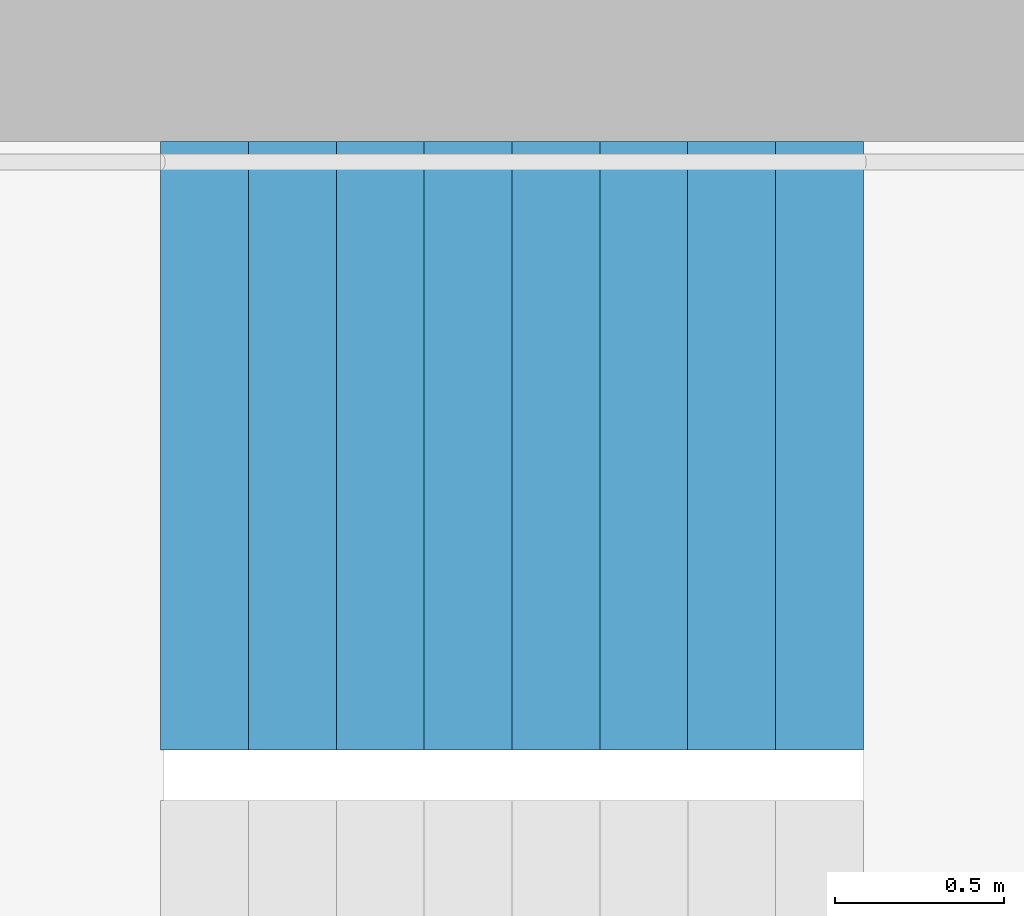
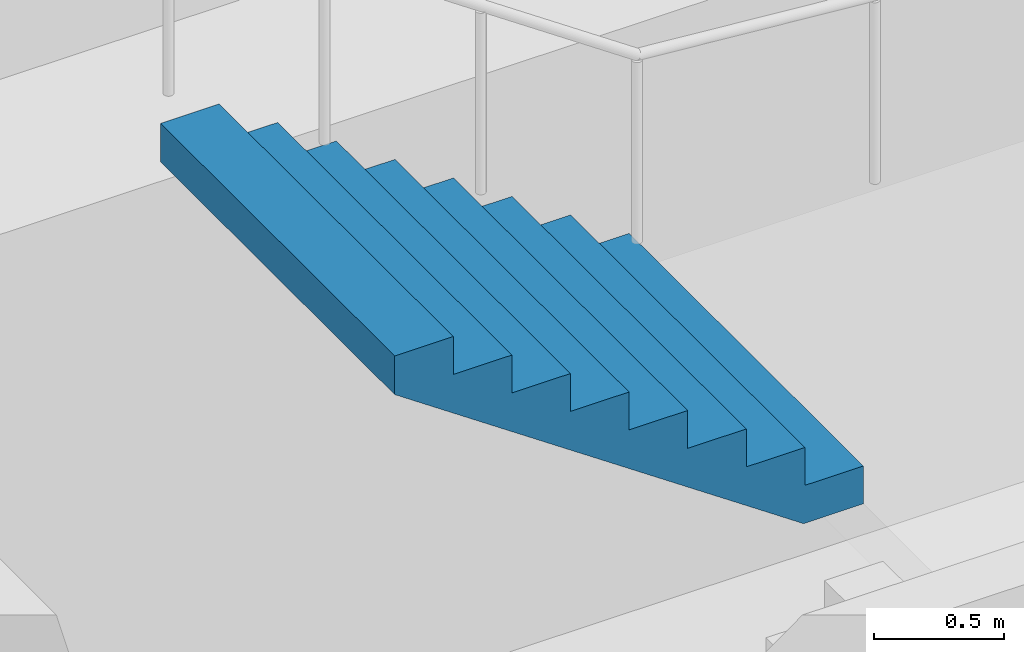
# One storey, part 22 of 27: 1 stair flight, 1 element without a shape of its own.
"""IFC4 building model written with IfcOpenShell, lengths in metres."""

from ifc_helpers import new_model, si_unit, direction, frame, origin, place, context, subcontext, project, spatial, triangles, material, type_object, element, aggregate, save


model = new_model("IFC4")

# Units and contexts
model_context = context("Model", 3, precision=1e-05, world=origin(), true_north=direction((0.0, 1.0)))
body_context = subcontext(model_context, "Body", "Model", "MODEL_VIEW")
ifc_project = project(units=[si_unit("LENGTHUNIT", "METRE"), si_unit("AREAUNIT", "SQUARE_METRE"), si_unit("VOLUMEUNIT", "CUBIC_METRE"), si_unit("PLANEANGLEUNIT", "RADIAN"), si_unit("MASSUNIT", "GRAM", prefix="KILO")], contexts=[model_context])

# Site, building, storey
site_placement = place(None, origin())
site = spatial("IfcSite", under=ifc_project, at=site_placement, CompositionType="ELEMENT")
building_placement = place(site_placement, origin())
building = spatial("IfcBuilding", under=site, at=building_placement, Name="Hakoniwa Tower and Hamabe Station Hall", CompositionType="ELEMENT")
storey_placement = place(building_placement, frame((0.0, 0.0, 248.60009765625)))
storey = spatial("IfcBuildingStorey", under=building, at=storey_placement, Name="L70", CompositionType="ELEMENT", Elevation=248.60009765625)

# Stair, stair flight
ifc_material_1 = material(Name="Concrete C40", Category="concrete")
stair_type = type_object("IfcStairType", Name="ESCAPE STAIR 1800", PredefinedType="HALF_TURN_STAIR", material=ifc_material_1)
stair_placement = place(storey_placement, origin())
stair = element("IfcStair", 1, at=stair_placement, inside=storey, type_object=stair_type, Name="Escape stair ST-1 L70", PredefinedType="HALF_TURN_STAIR")
ifc_material_2 = material(Name="Concrete C40", Category="concrete")
stair_flight_type = type_object("IfcStairFlightType", Name="STAIR FLIGHT 1800", PredefinedType="STRAIGHT", material=ifc_material_2)
stair_flight_placement = place(storey_placement, frame((-22.320068359375, 6.60009765625, 1.599853515625), z_axis=(0.0, 0.0, 1.0), x_axis=(-1.0, 0.0, 0.0)))
stair_flight = element("IfcStairFlight", 2, at=stair_flight_placement, type_object=stair_flight_type, Name="ST-1 flight 2", NumberOfRisers=9, NumberOfTreads=8, PredefinedType="STRAIGHT", RiserHeight=0.177777778, TreadLength=0.26, context=body_context, shape_type="Tessellation", body=[
    triangles([(0.0, 0.89990234375, 0.0), (0.260009765625, 0.89990234375, 0.0), (0.265625, 0.89990234375, 0.0), (0.52001953125, 0.89990234375, 0.174072265625), (0.780029296875, 0.89990234375, 0.351806640625), (1.0400390625, 0.89990234375, 0.529541015625), (1.300048828125, 0.89990234375, 0.707275390625), (1.56005859375, 0.89990234375, 0.885009765625), (1.820068359375, 0.89990234375, 1.062744140625), (2.080078125, 0.89990234375, 1.24072265625), (2.080078125, 0.89990234375, 1.422119140625), (1.820068359375, 0.89990234375, 1.422119140625), (1.820068359375, 0.89990234375, 1.244384765625), (1.56005859375, 0.89990234375, 1.244384765625), (1.56005859375, 0.89990234375, 1.066650390625), (1.300048828125, 0.89990234375, 1.066650390625), (1.300048828125, 0.89990234375, 0.888916015625), (1.0400390625, 0.89990234375, 0.888916015625), (1.0400390625, 0.89990234375, 0.711181640625), (0.780029296875, 0.89990234375, 0.711181640625), (0.780029296875, 0.89990234375, 0.533447265625), (0.52001953125, 0.89990234375, 0.533447265625), (0.52001953125, 0.89990234375, 0.35546875), (0.265625, 0.89990234375, 0.35546875), (0.260009765625, 0.89990234375, 0.35546875), (0.260009765625, 0.89990234375, 0.177734375), (0.0, 0.89990234375, 0.177734375), (0.0, 0.06005859375, 0.0), (0.260009765625, 0.06005859375, 0.0), (0.265625, 0.06005859375, 0.0), (0.52001953125, 0.06005859375, 0.174072265625), (0.780029296875, 0.06005859375, 0.351806640625), (1.0400390625, 0.06005859375, 0.529541015625), (1.300048828125, 0.06005859375, 0.707275390625), (1.56005859375, 0.06005859375, 0.885009765625), (1.820068359375, 0.06005859375, 1.062744140625), (2.080078125, 0.06005859375, 1.24072265625), (2.080078125, 0.06005859375, 1.422119140625), (1.820068359375, 0.06005859375, 1.422119140625), (1.820068359375, 0.06005859375, 1.244384765625), (1.56005859375, 0.06005859375, 1.244384765625), (1.56005859375, 0.06005859375, 1.066650390625), (1.300048828125, 0.06005859375, 1.066650390625), (1.300048828125, 0.06005859375, 0.888916015625), (1.0400390625, 0.06005859375, 0.888916015625), (1.0400390625, 0.06005859375, 0.711181640625), (0.780029296875, 0.06005859375, 0.711181640625), (0.780029296875, 0.06005859375, 0.533447265625), (0.52001953125, 0.06005859375, 0.533447265625), (0.52001953125, 0.06005859375, 0.35546875), (0.265625, 0.06005859375, 0.35546875), (0.260009765625, 0.06005859375, 0.35546875), (0.260009765625, 0.06005859375, 0.177734375), (0.0, 0.06005859375, 0.177734375), (0.0, 0.04296875, 0.0), (0.260009765625, 0.04296875, 0.0), (0.265625, 0.04296875, 0.0), (0.52001953125, 0.04296875, 0.174072265625), (0.780029296875, 0.04296875, 0.351806640625), (1.0400390625, 0.04296875, 0.529541015625), (1.300048828125, 0.04296875, 0.707275390625), (1.56005859375, 0.04296875, 0.885009765625), (1.820068359375, 0.04296875, 1.062744140625), (2.080078125, 0.04296875, 1.24072265625), (2.080078125, 0.04296875, 1.422119140625), (1.820068359375, 0.04296875, 1.422119140625), (1.820068359375, 0.04296875, 1.244384765625), (1.56005859375, 0.04296875, 1.244384765625), (1.56005859375, 0.04296875, 1.066650390625), (1.300048828125, 0.04296875, 1.066650390625), (1.300048828125, 0.04296875, 0.888916015625), (1.0400390625, 0.04296875, 0.888916015625), (1.0400390625, 0.04296875, 0.711181640625), (0.780029296875, 0.04296875, 0.711181640625), (0.780029296875, 0.04296875, 0.533447265625), (0.52001953125, 0.04296875, 0.533447265625), (0.52001953125, 0.04296875, 0.35546875), (0.265625, 0.04296875, 0.35546875), (0.260009765625, 0.04296875, 0.35546875), (0.260009765625, 0.04296875, 0.177734375), (0.0, 0.04296875, 0.177734375), (0.0, 0.025634765625, 0.0), (0.260009765625, 0.025634765625, 0.0), (0.265625, 0.025634765625, 0.0), (0.52001953125, 0.025634765625, 0.174072265625), (0.780029296875, 0.025634765625, 0.351806640625), (1.0400390625, 0.025634765625, 0.529541015625), (1.300048828125, 0.025634765625, 0.707275390625), (1.56005859375, 0.025634765625, 0.885009765625), (1.820068359375, 0.025634765625, 1.062744140625), (2.080078125, 0.025634765625, 1.24072265625), (2.080078125, 0.025634765625, 1.422119140625), (1.820068359375, 0.025634765625, 1.422119140625), (1.820068359375, 0.025634765625, 1.244384765625), (1.56005859375, 0.025634765625, 1.244384765625), (1.56005859375, 0.025634765625, 1.066650390625), (1.300048828125, 0.025634765625, 1.066650390625), (1.300048828125, 0.025634765625, 0.888916015625), (1.0400390625, 0.025634765625, 0.888916015625), (1.0400390625, 0.025634765625, 0.711181640625), (0.780029296875, 0.025634765625, 0.711181640625), (0.780029296875, 0.025634765625, 0.533447265625), (0.52001953125, 0.025634765625, 0.533447265625), (0.52001953125, 0.025634765625, 0.35546875), (0.265625, 0.025634765625, 0.35546875), (0.260009765625, 0.025634765625, 0.35546875), (0.260009765625, 0.025634765625, 0.177734375), (0.0, 0.025634765625, 0.177734375), (0.0, 0.008544921875, 0.0), (0.260009765625, 0.008544921875, 0.0), (0.265625, 0.008544921875, 0.0), (0.52001953125, 0.008544921875, 0.174072265625), (0.780029296875, 0.008544921875, 0.351806640625), (1.0400390625, 0.008544921875, 0.529541015625), (1.300048828125, 0.008544921875, 0.707275390625), (1.56005859375, 0.008544921875, 0.885009765625), (1.820068359375, 0.008544921875, 1.062744140625), (2.080078125, 0.008544921875, 1.24072265625), (2.080078125, 0.008544921875, 1.422119140625), (1.820068359375, 0.008544921875, 1.422119140625), (1.820068359375, 0.008544921875, 1.244384765625), (1.56005859375, 0.008544921875, 1.244384765625), (1.56005859375, 0.008544921875, 1.066650390625), (1.300048828125, 0.008544921875, 1.066650390625), (1.300048828125, 0.008544921875, 0.888916015625), (1.0400390625, 0.008544921875, 0.888916015625), (1.0400390625, 0.008544921875, 0.711181640625), (0.780029296875, 0.008544921875, 0.711181640625), (0.780029296875, 0.008544921875, 0.533447265625), (0.52001953125, 0.008544921875, 0.533447265625), (0.52001953125, 0.008544921875, 0.35546875), (0.265625, 0.008544921875, 0.35546875), (0.260009765625, 0.008544921875, 0.35546875), (0.260009765625, 0.008544921875, 0.177734375), (0.0, 0.008544921875, 0.177734375), (0.0, -0.008544921875, 0.0), (0.260009765625, -0.008544921875, 0.0), (0.265625, -0.008544921875, 0.0), (0.52001953125, -0.008544921875, 0.174072265625), (0.780029296875, -0.008544921875, 0.351806640625), (1.0400390625, -0.008544921875, 0.529541015625), (1.300048828125, -0.008544921875, 0.707275390625), (1.56005859375, -0.008544921875, 0.885009765625), (1.820068359375, -0.008544921875, 1.062744140625), (2.080078125, -0.008544921875, 1.24072265625), (2.080078125, -0.008544921875, 1.422119140625), (1.820068359375, -0.008544921875, 1.422119140625), (1.820068359375, -0.008544921875, 1.244384765625), (1.56005859375, -0.008544921875, 1.244384765625), (1.56005859375, -0.008544921875, 1.066650390625), (1.300048828125, -0.008544921875, 1.066650390625), (1.300048828125, -0.008544921875, 0.888916015625), (1.0400390625, -0.008544921875, 0.888916015625), (1.0400390625, -0.008544921875, 0.711181640625), (0.780029296875, -0.008544921875, 0.711181640625), (0.780029296875, -0.008544921875, 0.533447265625), (0.52001953125, -0.008544921875, 0.533447265625), (0.52001953125, -0.008544921875, 0.35546875), (0.265625, -0.008544921875, 0.35546875), (0.260009765625, -0.008544921875, 0.35546875), (0.260009765625, -0.008544921875, 0.177734375), (0.0, -0.008544921875, 0.177734375), (0.0, -0.025634765625, 0.0), (0.260009765625, -0.025634765625, 0.0), (0.265625, -0.025634765625, 0.0), (0.52001953125, -0.025634765625, 0.174072265625), (0.780029296875, -0.025634765625, 0.351806640625), (1.0400390625, -0.025634765625, 0.529541015625), (1.300048828125, -0.025634765625, 0.707275390625), (1.56005859375, -0.025634765625, 0.885009765625), (1.820068359375, -0.025634765625, 1.062744140625), (2.080078125, -0.025634765625, 1.24072265625), (2.080078125, -0.025634765625, 1.422119140625), (1.820068359375, -0.025634765625, 1.422119140625), (1.820068359375, -0.025634765625, 1.244384765625), (1.56005859375, -0.025634765625, 1.244384765625), (1.56005859375, -0.025634765625, 1.066650390625), (1.300048828125, -0.025634765625, 1.066650390625), (1.300048828125, -0.025634765625, 0.888916015625), (1.0400390625, -0.025634765625, 0.888916015625), (1.0400390625, -0.025634765625, 0.711181640625), (0.780029296875, -0.025634765625, 0.711181640625), (0.780029296875, -0.025634765625, 0.533447265625), (0.52001953125, -0.025634765625, 0.533447265625), (0.52001953125, -0.025634765625, 0.35546875), (0.265625, -0.025634765625, 0.35546875), (0.260009765625, -0.025634765625, 0.35546875), (0.260009765625, -0.025634765625, 0.177734375), (0.0, -0.025634765625, 0.177734375), (0.0, -0.04296875, 0.0), (0.260009765625, -0.04296875, 0.0), (0.265625, -0.04296875, 0.0), (0.52001953125, -0.04296875, 0.174072265625), (0.780029296875, -0.04296875, 0.351806640625), (1.0400390625, -0.04296875, 0.529541015625), (1.300048828125, -0.04296875, 0.707275390625), (1.56005859375, -0.04296875, 0.885009765625), (1.820068359375, -0.04296875, 1.062744140625), (2.080078125, -0.04296875, 1.24072265625), (2.080078125, -0.04296875, 1.422119140625), (1.820068359375, -0.04296875, 1.422119140625), (1.820068359375, -0.04296875, 1.244384765625), (1.56005859375, -0.04296875, 1.244384765625), (1.56005859375, -0.04296875, 1.066650390625), (1.300048828125, -0.04296875, 1.066650390625), (1.300048828125, -0.04296875, 0.888916015625), (1.0400390625, -0.04296875, 0.888916015625), (1.0400390625, -0.04296875, 0.711181640625), (0.780029296875, -0.04296875, 0.711181640625), (0.780029296875, -0.04296875, 0.533447265625), (0.52001953125, -0.04296875, 0.533447265625), (0.52001953125, -0.04296875, 0.35546875), (0.265625, -0.04296875, 0.35546875), (0.260009765625, -0.04296875, 0.35546875), (0.260009765625, -0.04296875, 0.177734375), (0.0, -0.04296875, 0.177734375), (0.0, -0.06005859375, 0.0), (0.260009765625, -0.06005859375, 0.0), (0.265625, -0.06005859375, 0.0), (0.52001953125, -0.06005859375, 0.174072265625), (0.780029296875, -0.06005859375, 0.351806640625), (1.0400390625, -0.06005859375, 0.529541015625), (1.300048828125, -0.06005859375, 0.707275390625), (1.56005859375, -0.06005859375, 0.885009765625), (1.820068359375, -0.06005859375, 1.062744140625), (2.080078125, -0.06005859375, 1.24072265625), (2.080078125, -0.06005859375, 1.422119140625), (1.820068359375, -0.06005859375, 1.422119140625), (1.820068359375, -0.06005859375, 1.244384765625), (1.56005859375, -0.06005859375, 1.244384765625), (1.56005859375, -0.06005859375, 1.066650390625), (1.300048828125, -0.06005859375, 1.066650390625), (1.300048828125, -0.06005859375, 0.888916015625), (1.0400390625, -0.06005859375, 0.888916015625), (1.0400390625, -0.06005859375, 0.711181640625), (0.780029296875, -0.06005859375, 0.711181640625), (0.780029296875, -0.06005859375, 0.533447265625), (0.52001953125, -0.06005859375, 0.533447265625), (0.52001953125, -0.06005859375, 0.35546875), (0.265625, -0.06005859375, 0.35546875), (0.260009765625, -0.06005859375, 0.35546875), (0.260009765625, -0.06005859375, 0.177734375), (0.0, -0.06005859375, 0.177734375), (0.0, -0.89990234375, 0.0), (0.260009765625, -0.89990234375, 0.0), (0.265625, -0.89990234375, 0.0), (0.52001953125, -0.89990234375, 0.174072265625), (0.780029296875, -0.89990234375, 0.351806640625), (1.0400390625, -0.89990234375, 0.529541015625), (1.300048828125, -0.89990234375, 0.707275390625), (1.56005859375, -0.89990234375, 0.885009765625), (1.820068359375, -0.89990234375, 1.062744140625), (2.080078125, -0.89990234375, 1.24072265625), (2.080078125, -0.89990234375, 1.422119140625), (1.820068359375, -0.89990234375, 1.422119140625), (1.820068359375, -0.89990234375, 1.244384765625), (1.56005859375, -0.89990234375, 1.244384765625), (1.56005859375, -0.89990234375, 1.066650390625), (1.300048828125, -0.89990234375, 1.066650390625), (1.300048828125, -0.89990234375, 0.888916015625), (1.0400390625, -0.89990234375, 0.888916015625), (1.0400390625, -0.89990234375, 0.711181640625), (0.780029296875, -0.89990234375, 0.711181640625), (0.780029296875, -0.89990234375, 0.533447265625), (0.52001953125, -0.89990234375, 0.533447265625), (0.52001953125, -0.89990234375, 0.35546875), (0.265625, -0.89990234375, 0.35546875), (0.260009765625, -0.89990234375, 0.35546875), (0.260009765625, -0.89990234375, 0.177734375), (0.0, -0.89990234375, 0.177734375)], [[2, 27, 26], [245, 269, 270], [2, 1, 27], [245, 270, 244], [3, 25, 24], [246, 267, 268], [3, 26, 25], [246, 268, 269], [3, 2, 26], [246, 269, 245], [4, 24, 23], [247, 266, 267], [4, 3, 24], [247, 267, 246], [5, 22, 21], [248, 264, 265], [5, 23, 22], [248, 265, 266], [5, 4, 23], [248, 266, 247], [6, 20, 19], [249, 262, 263], [6, 21, 20], [249, 263, 264], [6, 5, 21], [249, 264, 248], [7, 18, 17], [250, 260, 261], [7, 19, 18], [250, 261, 262], [7, 6, 19], [250, 262, 249], [8, 16, 15], [251, 258, 259], [8, 17, 16], [251, 259, 260], [8, 7, 17], [251, 260, 250], [9, 14, 13], [252, 256, 257], [9, 15, 14], [252, 257, 258], [9, 8, 15], [252, 258, 251], [10, 12, 11], [253, 254, 255], [10, 13, 12], [253, 255, 256], [10, 9, 13], [253, 256, 252], [1, 2, 29], [1, 29, 28], [28, 29, 56], [28, 56, 55], [55, 56, 83], [55, 83, 82], [82, 83, 110], [82, 110, 109], [109, 110, 137], [109, 137, 136], [136, 137, 164], [136, 164, 163], [163, 164, 191], [163, 191, 190], [190, 191, 218], [190, 218, 217], [217, 218, 245], [217, 245, 244], [2, 3, 30], [2, 30, 29], [29, 30, 57], [29, 57, 56], [56, 57, 84], [56, 84, 83], [83, 84, 111], [83, 111, 110], [110, 111, 138], [110, 138, 137], [137, 138, 165], [137, 165, 164], [164, 165, 192], [164, 192, 191], [191, 192, 219], [191, 219, 218], [218, 219, 246], [218, 246, 245], [3, 4, 31], [3, 31, 30], [30, 31, 58], [30, 58, 57], [57, 58, 85], [57, 85, 84], [84, 85, 112], [84, 112, 111], [111, 112, 139], [111, 139, 138], [138, 139, 166], [138, 166, 165], [165, 166, 193], [165, 193, 192], [192, 193, 220], [192, 220, 219], [219, 220, 247], [219, 247, 246], [4, 5, 32], [4, 32, 31], [31, 32, 59], [31, 59, 58], [58, 59, 86], [58, 86, 85], [85, 86, 113], [85, 113, 112], [112, 113, 140], [112, 140, 139], [139, 140, 167], [139, 167, 166], [166, 167, 194], [166, 194, 193], [193, 194, 221], [193, 221, 220], [220, 221, 248], [220, 248, 247], [5, 6, 33], [5, 33, 32], [32, 33, 60], [32, 60, 59], [59, 60, 87], [59, 87, 86], [86, 87, 114], [86, 114, 113], [113, 114, 141], [113, 141, 140], [140, 141, 168], [140, 168, 167], [167, 168, 195], [167, 195, 194], [194, 195, 222], [194, 222, 221], [221, 222, 249], [221, 249, 248], [6, 7, 34], [6, 34, 33], [33, 34, 61], [33, 61, 60], [60, 61, 88], [60, 88, 87], [87, 88, 115], [87, 115, 114], [114, 115, 142], [114, 142, 141], [141, 142, 169], [141, 169, 168], [168, 169, 196], [168, 196, 195], [195, 196, 223], [195, 223, 222], [222, 223, 250], [222, 250, 249], [7, 8, 35], [7, 35, 34], [34, 35, 62], [34, 62, 61], [61, 62, 89], [61, 89, 88], [88, 89, 116], [88, 116, 115], [115, 116, 143], [115, 143, 142], [142, 143, 170], [142, 170, 169], [169, 170, 197], [169, 197, 196], [196, 197, 224], [196, 224, 223], [223, 224, 251], [223, 251, 250], [8, 9, 36], [8, 36, 35], [35, 36, 63], [35, 63, 62], [62, 63, 90], [62, 90, 89], [89, 90, 117], [89, 117, 116], [116, 117, 144], [116, 144, 143], [143, 144, 171], [143, 171, 170], [170, 171, 198], [170, 198, 197], [197, 198, 225], [197, 225, 224], [224, 225, 252], [224, 252, 251], [9, 10, 37], [9, 37, 36], [36, 37, 64], [36, 64, 63], [63, 64, 91], [63, 91, 90], [90, 91, 118], [90, 118, 117], [117, 118, 145], [117, 145, 144], [144, 145, 172], [144, 172, 171], [171, 172, 199], [171, 199, 198], [198, 199, 226], [198, 226, 225], [225, 226, 253], [225, 253, 252], [10, 11, 38], [10, 38, 37], [37, 38, 65], [37, 65, 64], [64, 65, 92], [64, 92, 91], [91, 92, 119], [91, 119, 118], [118, 119, 146], [118, 146, 145], [145, 146, 173], [145, 173, 172], [172, 173, 200], [172, 200, 199], [199, 200, 227], [199, 227, 226], [226, 227, 254], [226, 254, 253], [11, 12, 39], [11, 39, 38], [38, 39, 66], [38, 66, 65], [65, 66, 93], [65, 93, 92], [92, 93, 120], [92, 120, 119], [119, 120, 147], [119, 147, 146], [146, 147, 174], [146, 174, 173], [173, 174, 201], [173, 201, 200], [200, 201, 228], [200, 228, 227], [227, 228, 255], [227, 255, 254], [12, 13, 40], [12, 40, 39], [39, 40, 67], [39, 67, 66], [66, 67, 94], [66, 94, 93], [93, 94, 121], [93, 121, 120], [120, 121, 148], [120, 148, 147], [147, 148, 175], [147, 175, 174], [174, 175, 202], [174, 202, 201], [201, 202, 229], [201, 229, 228], [228, 229, 256], [228, 256, 255], [13, 14, 41], [13, 41, 40], [40, 41, 68], [40, 68, 67], [67, 68, 95], [67, 95, 94], [94, 95, 122], [94, 122, 121], [121, 122, 149], [121, 149, 148], [148, 149, 176], [148, 176, 175], [175, 176, 203], [175, 203, 202], [202, 203, 230], [202, 230, 229], [229, 230, 257], [229, 257, 256], [14, 15, 42], [14, 42, 41], [41, 42, 69], [41, 69, 68], [68, 69, 96], [68, 96, 95], [95, 96, 123], [95, 123, 122], [122, 123, 150], [122, 150, 149], [149, 150, 177], [149, 177, 176], [176, 177, 204], [176, 204, 203], [203, 204, 231], [203, 231, 230], [230, 231, 258], [230, 258, 257], [15, 16, 43], [15, 43, 42], [42, 43, 70], [42, 70, 69], [69, 70, 97], [69, 97, 96], [96, 97, 124], [96, 124, 123], [123, 124, 151], [123, 151, 150], [150, 151, 178], [150, 178, 177], [177, 178, 205], [177, 205, 204], [204, 205, 232], [204, 232, 231], [231, 232, 259], [231, 259, 258], [16, 17, 44], [16, 44, 43], [43, 44, 71], [43, 71, 70], [70, 71, 98], [70, 98, 97], [97, 98, 125], [97, 125, 124], [124, 125, 152], [124, 152, 151], [151, 152, 179], [151, 179, 178], [178, 179, 206], [178, 206, 205], [205, 206, 233], [205, 233, 232], [232, 233, 260], [232, 260, 259], [17, 18, 45], [17, 45, 44], [44, 45, 72], [44, 72, 71], [71, 72, 99], [71, 99, 98], [98, 99, 126], [98, 126, 125], [125, 126, 153], [125, 153, 152], [152, 153, 180], [152, 180, 179], [179, 180, 207], [179, 207, 206], [206, 207, 234], [206, 234, 233], [233, 234, 261], [233, 261, 260], [18, 19, 46], [18, 46, 45], [45, 46, 73], [45, 73, 72], [72, 73, 100], [72, 100, 99], [99, 100, 127], [99, 127, 126], [126, 127, 154], [126, 154, 153], [153, 154, 181], [153, 181, 180], [180, 181, 208], [180, 208, 207], [207, 208, 235], [207, 235, 234], [234, 235, 262], [234, 262, 261], [19, 20, 47], [19, 47, 46], [46, 47, 74], [46, 74, 73], [73, 74, 101], [73, 101, 100], [100, 101, 128], [100, 128, 127], [127, 128, 155], [127, 155, 154], [154, 155, 182], [154, 182, 181], [181, 182, 209], [181, 209, 208], [208, 209, 236], [208, 236, 235], [235, 236, 263], [235, 263, 262], [20, 21, 48], [20, 48, 47], [47, 48, 75], [47, 75, 74], [74, 75, 102], [74, 102, 101], [101, 102, 129], [101, 129, 128], [128, 129, 156], [128, 156, 155], [155, 156, 183], [155, 183, 182], [182, 183, 210], [182, 210, 209], [209, 210, 237], [209, 237, 236], [236, 237, 264], [236, 264, 263], [21, 22, 49], [21, 49, 48], [48, 49, 76], [48, 76, 75], [75, 76, 103], [75, 103, 102], [102, 103, 130], [102, 130, 129], [129, 130, 157], [129, 157, 156], [156, 157, 184], [156, 184, 183], [183, 184, 211], [183, 211, 210], [210, 211, 238], [210, 238, 237], [237, 238, 265], [237, 265, 264], [22, 23, 50], [22, 50, 49], [49, 50, 77], [49, 77, 76], [76, 77, 104], [76, 104, 103], [103, 104, 131], [103, 131, 130], [130, 131, 158], [130, 158, 157], [157, 158, 185], [157, 185, 184], [184, 185, 212], [184, 212, 211], [211, 212, 239], [211, 239, 238], [238, 239, 266], [238, 266, 265], [23, 24, 51], [23, 51, 50], [50, 51, 78], [50, 78, 77], [77, 78, 105], [77, 105, 104], [104, 105, 132], [104, 132, 131], [131, 132, 159], [131, 159, 158], [158, 159, 186], [158, 186, 185], [185, 186, 213], [185, 213, 212], [212, 213, 240], [212, 240, 239], [239, 240, 267], [239, 267, 266], [24, 25, 52], [24, 52, 51], [51, 52, 79], [51, 79, 78], [78, 79, 106], [78, 106, 105], [105, 106, 133], [105, 133, 132], [132, 133, 160], [132, 160, 159], [159, 160, 187], [159, 187, 186], [186, 187, 214], [186, 214, 213], [213, 214, 241], [213, 241, 240], [240, 241, 268], [240, 268, 267], [25, 26, 53], [25, 53, 52], [52, 53, 80], [52, 80, 79], [79, 80, 107], [79, 107, 106], [106, 107, 134], [106, 134, 133], [133, 134, 161], [133, 161, 160], [160, 161, 188], [160, 188, 187], [187, 188, 215], [187, 215, 214], [214, 215, 242], [214, 242, 241], [241, 242, 269], [241, 269, 268], [26, 27, 54], [26, 54, 53], [53, 54, 81], [53, 81, 80], [80, 81, 108], [80, 108, 107], [107, 108, 135], [107, 135, 134], [134, 135, 162], [134, 162, 161], [161, 162, 189], [161, 189, 188], [188, 189, 216], [188, 216, 215], [215, 216, 243], [215, 243, 242], [242, 243, 270], [242, 270, 269], [27, 1, 28], [27, 28, 54], [54, 28, 55], [54, 55, 81], [81, 55, 82], [81, 82, 108], [108, 82, 109], [108, 109, 135], [135, 109, 136], [135, 136, 162], [162, 136, 163], [162, 163, 189], [189, 163, 190], [189, 190, 216], [216, 190, 217], [216, 217, 243], [243, 217, 244], [243, 244, 270]], closed=True),
])
aggregate(stair, [stair_flight])

save(model, "model.ifc")
